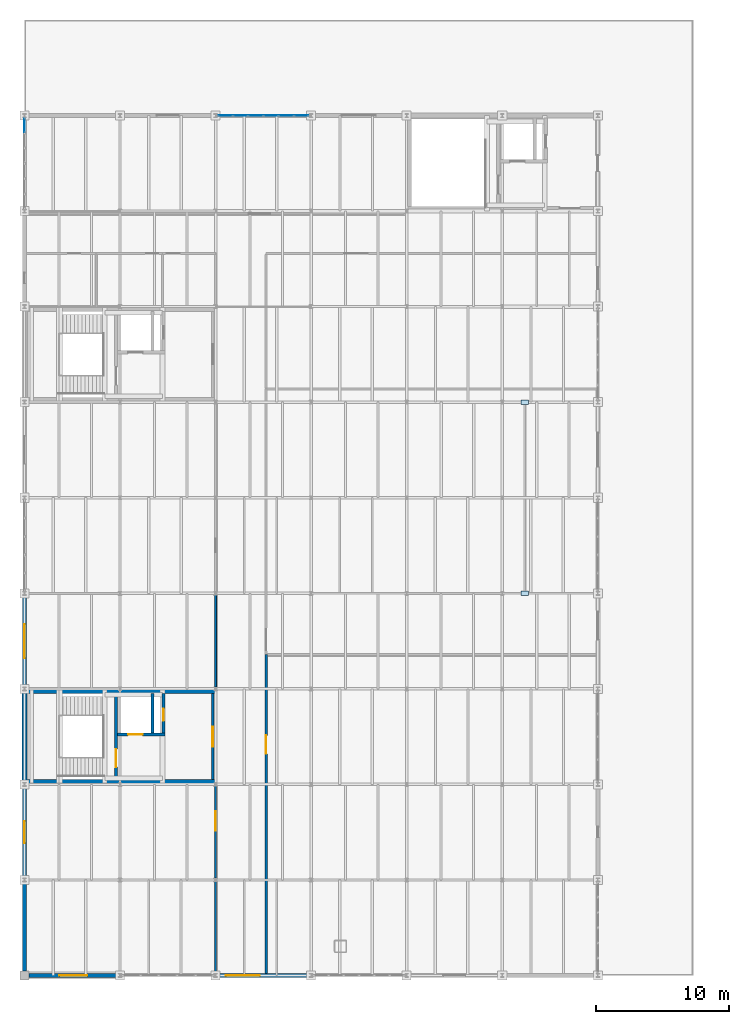
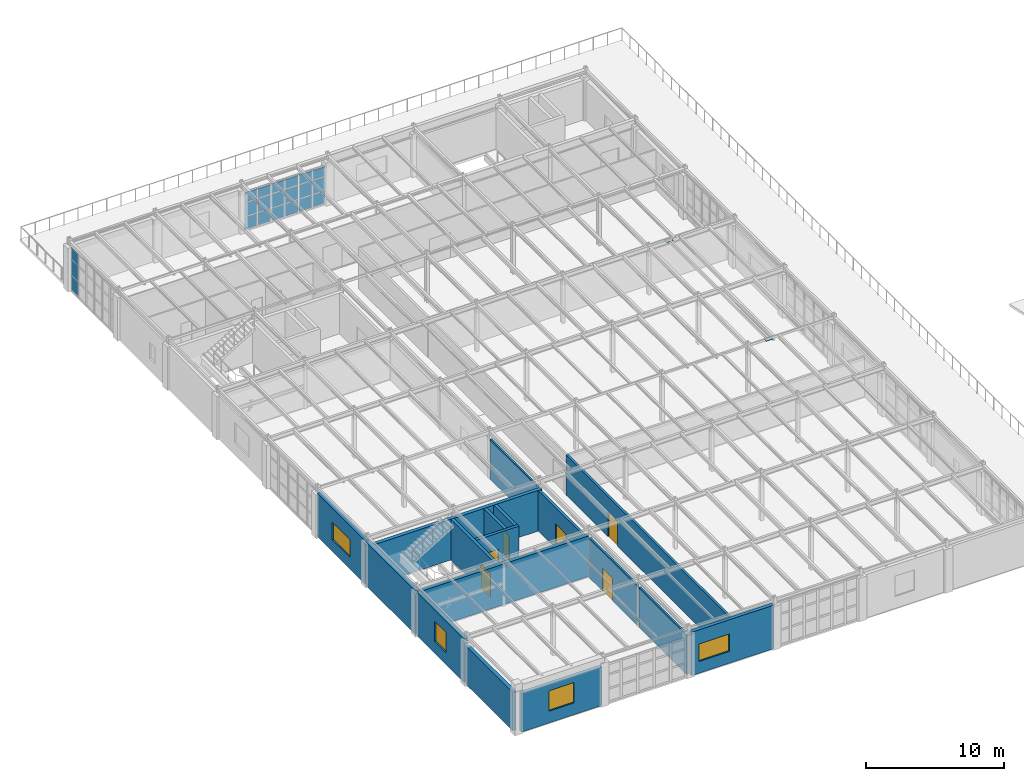
# One storey, part 32 of 36: 23 plates, 17 walls, 6 doors, 4 windows, 10 openings, 2 elements without a shape of their own.
"""IFC4 building model written with IfcOpenShell, lengths in metres."""

from ifc_helpers import new_model, si_unit, direction, frame, frame_2d, origin, origin_2d, place, context, subcontext, project, spatial, rectangle, extrude, material, layer, layer_set, type_object, element, fill, aggregate, save


model = new_model("IFC4")

# Units and contexts
model_context = context("Model", 3, precision=1e-05, world=origin(), true_north=direction((0.0, 1.0)))
body_context = subcontext(model_context, "Body", "Model", "MODEL_VIEW")
ifc_project = project(units=[si_unit("LENGTHUNIT", "METRE"), si_unit("AREAUNIT", "SQUARE_METRE"), si_unit("VOLUMEUNIT", "CUBIC_METRE"), si_unit("PLANEANGLEUNIT", "RADIAN"), si_unit("MASSUNIT", "GRAM", prefix="KILO")], contexts=[model_context])

# Site, building, storey
site_placement = place(None, origin())
site = spatial("IfcSite", under=ifc_project, at=site_placement, CompositionType="ELEMENT")
building_placement = place(site_placement, origin())
building = spatial("IfcBuilding", under=site, at=building_placement, Name="Kemerveld Promenade Tramway Depot", CompositionType="ELEMENT")
storey_placement = place(building_placement, frame((0.0, 0.0, 14.39990234375)))
storey = spatial("IfcBuildingStorey", under=building, at=storey_placement, Name="L03", CompositionType="ELEMENT", Elevation=14.39990234375)

# Curtain wall, plates
ifc_material_1 = material(Name="Bronze anodised aluminium and solar glass", Category="aluminium")
ifc_layer_1 = layer(ifc_material_1, 0.199951171875)
ifc_layer_set_1 = layer_set([ifc_layer_1], Name="CW-SYS-12")
curtain_wall_type_1 = type_object("IfcCurtainWallType", Name="CW-SYS-12", PredefinedType="USERDEFINED", material=ifc_layer_set_1)
curtain_wall_1_placement = place(storey_placement, origin())
curtain_wall_1 = element("IfcCurtainWall", 1, at=curtain_wall_1_placement, inside=storey, type_object=curtain_wall_type_1, Name="CW-L03-V5W-09", ObjectType="GLAZED_CURTAIN_WALL", PredefinedType="USERDEFINED")
ifc_material_2 = material(Name="Solar-control laminated double glazing", Category="glass")
ifc_layer_2 = layer(ifc_material_2, 0.031982421875)
ifc_layer_set_2 = layer_set([ifc_layer_2], Name="CW-PNL-04")
plate_type_1 = type_object("IfcPlateType", Name="CW-PNL-04", PredefinedType="CURTAIN_PANEL", material=ifc_layer_set_2)
plate_1_placement = place(storey_placement, frame((0.0, 64.05615234375, 0.065185546875), z_axis=(0.0, 0.0, 1.0), x_axis=(0.0, 1.0, 0.0)))
plate_1 = element("IfcPlate", 2, at=plate_1_placement, type_object=plate_type_1, Name="CW12 panel 6.1", PredefinedType="CURTAIN_PANEL", context=body_context, shape_type="SweptSolid", body=[
    extrude(rectangle(XDim=1.037353515625, YDim=0.031982421875, at=origin_2d()), origin(), (0.0, 0.0, 1.0), 1.25048828125),
])
plate_2_placement = place(storey_placement, frame((0.0, 64.05615234375, 1.380615234375), z_axis=(0.0, 0.0, 1.0), x_axis=(0.0, 1.0, 0.0)))
plate_2 = element("IfcPlate", 3, at=plate_2_placement, type_object=plate_type_1, Name="CW12 panel 6.2", PredefinedType="CURTAIN_PANEL", context=body_context, shape_type="SweptSolid", body=[
    extrude(rectangle(XDim=1.037353515625, YDim=0.031982421875, at=origin_2d()), origin(), (0.0, 0.0, 1.0), 1.35888671875),
])
plate_3_placement = place(storey_placement, frame((0.0, 64.05615234375, 2.8046875), z_axis=(0.0, 0.0, 1.0), x_axis=(0.0, 1.0, 0.0)))
plate_3 = element("IfcPlate", 4, at=plate_3_placement, type_object=plate_type_1, Name="CW12 panel 6.3", PredefinedType="CURTAIN_PANEL", context=body_context, shape_type="SweptSolid", body=[
    extrude(rectangle(XDim=1.037353515625, YDim=0.031982421875, at=origin_2d()), origin(), (0.0, 0.0, 1.0), 0.98046875),
])
aggregate(curtain_wall_1, [plate_1, plate_2, plate_3])

ifc_layer_3 = layer(ifc_material_1, 0.199951171875)
ifc_layer_set_3 = layer_set([ifc_layer_3], Name="CW-SYS-06")
curtain_wall_type_2 = type_object("IfcCurtainWallType", Name="CW-SYS-06", PredefinedType="USERDEFINED", material=ifc_layer_set_3)
curtain_wall_2_placement = place(storey_placement, origin())
curtain_wall_2 = element("IfcCurtainWall", 5, at=curtain_wall_2_placement, inside=storey, type_object=curtain_wall_type_2, Name="CW-L03-V5N-03", ObjectType="GLAZED_CURTAIN_WALL", PredefinedType="USERDEFINED")
ifc_layer_4 = layer(ifc_material_2, 0.02587890625)
ifc_layer_set_4 = layer_set([ifc_layer_4], Name="CW-PNL-06")
plate_type_2 = type_object("IfcPlateType", Name="CW-PNL-06", PredefinedType="CURTAIN_PANEL", material=ifc_layer_set_4)
plate_4_placement = place(storey_placement, frame((15.14404296875, 64.800048828125, 0.06494140625), z_axis=(0.0, 0.0, 1.0), x_axis=(1.0, 0.0, 0.0)))
plate_4 = element("IfcPlate", 6, at=plate_4_placement, type_object=plate_type_2, Name="CW06 panel 1.1", PredefinedType="CURTAIN_PANEL", context=body_context, shape_type="SweptSolid", body=[
    extrude(rectangle(XDim=1.037353515625, YDim=0.02587890625, at=origin_2d()), origin(), (0.0, 0.0, 1.0), 1.097412109375),
])
plate_5_placement = place(storey_placement, frame((15.14404296875, 64.800048828125, 1.2275390625), z_axis=(0.0, 0.0, 1.0), x_axis=(1.0, 0.0, 0.0)))
plate_5 = element("IfcPlate", 7, at=plate_5_placement, type_object=plate_type_2, Name="CW06 panel 1.2", PredefinedType="CURTAIN_PANEL", context=body_context, shape_type="SweptSolid", body=[
    extrude(rectangle(XDim=1.037353515625, YDim=0.02587890625, at=origin_2d()), origin(), (0.0, 0.0, 1.0), 1.197998046875),
])
plate_6_placement = place(storey_placement, frame((15.14404296875, 64.800048828125, 2.49072265625), z_axis=(0.0, 0.0, 1.0), x_axis=(1.0, 0.0, 0.0)))
plate_6 = element("IfcPlate", 8, at=plate_6_placement, type_object=plate_type_2, Name="CW06 panel 1.3", PredefinedType="CURTAIN_PANEL", context=body_context, shape_type="SweptSolid", body=[
    extrude(rectangle(XDim=1.037353515625, YDim=0.02587890625, at=origin_2d()), origin(), (0.0, 0.0, 1.0), 0.8583984375),
])
plate_7_placement = place(storey_placement, frame((16.275146484375, 64.800048828125, 0.06494140625), z_axis=(0.0, 0.0, 1.0), x_axis=(1.0, 0.0, 0.0)))
plate_7 = element("IfcPlate", 9, at=plate_7_placement, type_object=plate_type_2, Name="CW06 panel 2.1", PredefinedType="CURTAIN_PANEL", context=body_context, shape_type="SweptSolid", body=[
    extrude(rectangle(XDim=1.074951171875, YDim=0.02587890625, at=origin_2d()), origin(), (0.0, 0.0, 1.0), 1.097412109375),
])
plate_8_placement = place(storey_placement, frame((16.275146484375, 64.800048828125, 1.2275390625), z_axis=(0.0, 0.0, 1.0), x_axis=(1.0, 0.0, 0.0)))
plate_8 = element("IfcPlate", 10, at=plate_8_placement, type_object=plate_type_2, Name="CW06 panel 2.2", PredefinedType="CURTAIN_PANEL", context=body_context, shape_type="SweptSolid", body=[
    extrude(rectangle(XDim=1.074951171875, YDim=0.02587890625, at=origin_2d()), origin(), (0.0, 0.0, 1.0), 1.197998046875),
])
plate_9_placement = place(storey_placement, frame((16.275146484375, 64.800048828125, 2.49072265625), z_axis=(0.0, 0.0, 1.0), x_axis=(1.0, 0.0, 0.0)))
plate_9 = element("IfcPlate", 11, at=plate_9_placement, type_object=plate_type_2, Name="CW06 panel 2.3", PredefinedType="CURTAIN_PANEL", context=body_context, shape_type="SweptSolid", body=[
    extrude(rectangle(XDim=1.074951171875, YDim=0.02587890625, at=origin_2d()), origin(), (0.0, 0.0, 1.0), 0.8583984375),
])
plate_10_placement = place(storey_placement, frame((17.425048828125, 64.800048828125, 0.06494140625), z_axis=(0.0, 0.0, 1.0), x_axis=(1.0, 0.0, 0.0)))
plate_10 = element("IfcPlate", 12, at=plate_10_placement, type_object=plate_type_2, Name="CW06 panel 3.1", PredefinedType="CURTAIN_PANEL", context=body_context, shape_type="SweptSolid", body=[
    extrude(rectangle(XDim=1.074951171875, YDim=0.02587890625, at=origin_2d()), origin(), (0.0, 0.0, 1.0), 1.097412109375),
])
plate_11_placement = place(storey_placement, frame((17.425048828125, 64.800048828125, 1.2275390625), z_axis=(0.0, 0.0, 1.0), x_axis=(1.0, 0.0, 0.0)))
plate_11 = element("IfcPlate", 13, at=plate_11_placement, type_object=plate_type_2, Name="CW06 panel 3.2", PredefinedType="CURTAIN_PANEL", context=body_context, shape_type="SweptSolid", body=[
    extrude(rectangle(XDim=1.074951171875, YDim=0.02587890625, at=origin_2d()), origin(), (0.0, 0.0, 1.0), 1.197998046875),
])
plate_12_placement = place(storey_placement, frame((17.425048828125, 64.800048828125, 2.49072265625), z_axis=(0.0, 0.0, 1.0), x_axis=(1.0, 0.0, 0.0)))
plate_12 = element("IfcPlate", 14, at=plate_12_placement, type_object=plate_type_2, Name="CW06 panel 3.3", PredefinedType="CURTAIN_PANEL", context=body_context, shape_type="SweptSolid", body=[
    extrude(rectangle(XDim=1.074951171875, YDim=0.02587890625, at=origin_2d()), origin(), (0.0, 0.0, 1.0), 0.8583984375),
])
plate_13_placement = place(storey_placement, frame((18.574951171875, 64.800048828125, 0.06494140625), z_axis=(0.0, 0.0, 1.0), x_axis=(1.0, 0.0, 0.0)))
plate_13 = element("IfcPlate", 15, at=plate_13_placement, type_object=plate_type_2, Name="CW06 panel 4.1", PredefinedType="CURTAIN_PANEL", context=body_context, shape_type="SweptSolid", body=[
    extrude(rectangle(XDim=1.074951171875, YDim=0.02587890625, at=origin_2d()), origin(), (0.0, 0.0, 1.0), 1.097412109375),
])
plate_14_placement = place(storey_placement, frame((18.574951171875, 64.800048828125, 1.2275390625), z_axis=(0.0, 0.0, 1.0), x_axis=(1.0, 0.0, 0.0)))
plate_14 = element("IfcPlate", 16, at=plate_14_placement, type_object=plate_type_2, Name="CW06 panel 4.2", PredefinedType="CURTAIN_PANEL", context=body_context, shape_type="SweptSolid", body=[
    extrude(rectangle(XDim=1.074951171875, YDim=0.02587890625, at=origin_2d()), origin(), (0.0, 0.0, 1.0), 1.197998046875),
])
plate_15_placement = place(storey_placement, frame((18.574951171875, 64.800048828125, 2.49072265625), z_axis=(0.0, 0.0, 1.0), x_axis=(1.0, 0.0, 0.0)))
plate_15 = element("IfcPlate", 17, at=plate_15_placement, type_object=plate_type_2, Name="CW06 panel 4.3", PredefinedType="CURTAIN_PANEL", context=body_context, shape_type="SweptSolid", body=[
    extrude(rectangle(XDim=1.074951171875, YDim=0.02587890625, at=origin_2d()), origin(), (0.0, 0.0, 1.0), 0.8583984375),
])
plate_16_placement = place(storey_placement, frame((19.724853515625, 64.800048828125, 0.06494140625), z_axis=(0.0, 0.0, 1.0), x_axis=(1.0, 0.0, 0.0)))
plate_16 = element("IfcPlate", 18, at=plate_16_placement, type_object=plate_type_2, Name="CW06 panel 5.1", PredefinedType="CURTAIN_PANEL", context=body_context, shape_type="SweptSolid", body=[
    extrude(rectangle(XDim=1.074951171875, YDim=0.02587890625, at=origin_2d()), origin(), (0.0, 0.0, 1.0), 1.097412109375),
])
plate_17_placement = place(storey_placement, frame((19.724853515625, 64.800048828125, 1.2275390625), z_axis=(0.0, 0.0, 1.0), x_axis=(1.0, 0.0, 0.0)))
plate_17 = element("IfcPlate", 19, at=plate_17_placement, type_object=plate_type_2, Name="CW06 panel 5.2", PredefinedType="CURTAIN_PANEL", context=body_context, shape_type="SweptSolid", body=[
    extrude(rectangle(XDim=1.074951171875, YDim=0.02587890625, at=origin_2d()), origin(), (0.0, 0.0, 1.0), 1.197998046875),
])
plate_18_placement = place(storey_placement, frame((19.724853515625, 64.800048828125, 2.49072265625), z_axis=(0.0, 0.0, 1.0), x_axis=(1.0, 0.0, 0.0)))
plate_18 = element("IfcPlate", 20, at=plate_18_placement, type_object=plate_type_2, Name="CW06 panel 5.3", PredefinedType="CURTAIN_PANEL", context=body_context, shape_type="SweptSolid", body=[
    extrude(rectangle(XDim=1.074951171875, YDim=0.02587890625, at=origin_2d()), origin(), (0.0, 0.0, 1.0), 0.8583984375),
])
plate_19_placement = place(storey_placement, frame((20.856201171875, 64.800048828125, 0.06494140625), z_axis=(0.0, 0.0, 1.0), x_axis=(1.0, 0.0, 0.0)))
plate_19 = element("IfcPlate", 21, at=plate_19_placement, type_object=plate_type_2, Name="CW06 panel 6.1", PredefinedType="CURTAIN_PANEL", context=body_context, shape_type="SweptSolid", body=[
    extrude(rectangle(XDim=1.037353515625, YDim=0.02587890625, at=origin_2d()), origin(), (0.0, 0.0, 1.0), 1.097412109375),
])
plate_20_placement = place(storey_placement, frame((20.856201171875, 64.800048828125, 1.2275390625), z_axis=(0.0, 0.0, 1.0), x_axis=(1.0, 0.0, 0.0)))
plate_20 = element("IfcPlate", 22, at=plate_20_placement, type_object=plate_type_2, Name="CW06 panel 6.2", PredefinedType="CURTAIN_PANEL", context=body_context, shape_type="SweptSolid", body=[
    extrude(rectangle(XDim=1.037353515625, YDim=0.02587890625, at=origin_2d()), origin(), (0.0, 0.0, 1.0), 1.197998046875),
])
plate_21_placement = place(storey_placement, frame((20.856201171875, 64.800048828125, 2.49072265625), z_axis=(0.0, 0.0, 1.0), x_axis=(1.0, 0.0, 0.0)))
plate_21 = element("IfcPlate", 23, at=plate_21_placement, type_object=plate_type_2, Name="CW06 panel 6.3", PredefinedType="CURTAIN_PANEL", context=body_context, shape_type="SweptSolid", body=[
    extrude(rectangle(XDim=1.037353515625, YDim=0.02587890625, at=origin_2d()), origin(), (0.0, 0.0, 1.0), 0.8583984375),
])
aggregate(curtain_wall_2, [plate_4, plate_5, plate_6, plate_7, plate_8, plate_9, plate_10, plate_11, plate_12, plate_13, plate_14, plate_15, plate_16, plate_17, plate_18, plate_19, plate_20, plate_21])

# Plates
ifc_material_3 = material(Name="Steel S355", Category="steel")
ifc_layer_5 = layer(ifc_material_3, 0.02197265625)
ifc_layer_set_5 = layer_set([ifc_layer_5], Name="PL-GS10")
plate_type_3 = type_object("IfcPlateType", Name="PL-GS10", PredefinedType="USERDEFINED", material=ifc_layer_set_5)
for number, where, z_axis, x_axis, name in (
    (24, (37.699951171875, 28.800048828125, 4.14404296875), (0.0, 0.0, 1.0), (1.0, 0.0, 0.0), "CAP-CUMBA-S"),
    (25, (37.699951171875, 43.199951171875, 4.14404296875), (0.0, 0.0, 1.0), (1.0, 0.0, 0.0), "CAP-CUMBA-N"),
):
    element("IfcPlate", number, at=place(storey_placement, frame(where, z_axis=z_axis, x_axis=x_axis)), inside=storey, type_object=plate_type_3, Name=name, ObjectType="GUSSET_PLATE", PredefinedType="USERDEFINED", context=body_context, shape_type="SweptSolid", body=[
        extrude(rectangle(XDim=0.550048828125, YDim=0.360107421875, at=origin_2d()), origin(), (0.0, 0.0, 1.0), 0.02197265625),
    ])

# Wall, opening, door
ifc_material_4 = material(Name="Concrete C40/50", Category="concrete")
ifc_layer_6 = layer(ifc_material_4, 0.25)
ifc_layer_set_6 = layer_set([ifc_layer_6], Name="WL-CORE-250")
wall_type_1 = type_object("IfcWallType", Name="WL-CORE-250", PredefinedType="SHEAR", material=ifc_layer_set_6)
wall_1_placement = place(storey_placement, frame((6.89990234375, 14.75, 0.0), z_axis=(0.0, 0.0, 1.0), x_axis=(0.0, 1.0, 0.0)))
wall_1 = element("IfcWall", 26, at=wall_1_placement, inside=storey, type_object=wall_type_1, Name="WL-C1-L03-SDIV", PredefinedType="SHEAR", context=body_context, shape_type="SweptSolid", body=[
    extrude(rectangle(XDim=6.5, YDim=0.25, at=frame_2d((3.25, 0.0))), origin(), (0.0, 0.0, 1.0), 3.60009765625),
])
opening_1_placement = place(wall_1_placement, frame((0.949951171875, 0.0, 0.0)))
opening_1 = element("IfcOpeningElement", 27, at=opening_1_placement, cuts=wall_1, Name="Opening D-513", PredefinedType="OPENING", context=body_context, shape_type="SweptSolid", body=[
    extrude(rectangle(XDim=1.35009765625, YDim=2.14990234375, at=frame_2d((0.675048828125, 1.074951171875))), frame((0.0, 0.135009765625, 0.0), z_axis=(0.0, -1.0, 0.0), x_axis=(1.0, 0.0, 0.0)), (0.0, 0.0, 1.0), 0.27001953125),
])
ifc_material_5 = material(Name="Galvanised steel fire stair door", Category="steel")
door_type_1 = type_object("IfcDoorType", Name="DR-FD120", OperationType="NOTDEFINED", PredefinedType="DOOR", material=ifc_material_5)
door_1_placement = place(opening_1_placement, origin())
door_1 = element("IfcDoor", 28, at=door_1_placement, inside=storey, type_object=door_type_1, Name="DR-C1-L03-STAIR", OperationType="SINGLE_SWING_LEFT", OverallHeight=2.14990234375, OverallWidth=1.35009765625, PredefinedType="DOOR", context=body_context, shape_type="SweptSolid", body=[
    extrude(rectangle(XDim=1.35009765625, YDim=2.14990234375, at=frame_2d((0.675048828125, 1.074951171875))), frame((0.0, 0.02490234375, 0.0), z_axis=(0.0, -1.0, 0.0), x_axis=(1.0, 0.0, 0.0)), (0.0, 0.0, 1.0), 0.050048828125),
])
fill(opening_1, door_1)

wall_2_placement = place(storey_placement, frame((7.02490234375, 18.159912109375, 0.0), z_axis=(0.0, 0.0, 1.0), x_axis=(1.0, 0.0, 0.0)))
wall_2 = element("IfcWall", 29, at=wall_2_placement, inside=storey, type_object=wall_type_1, Name="WL-C1-L03-LSHS", PredefinedType="SHEAR", context=body_context, shape_type="SweptSolid", body=[
    extrude(rectangle(XDim=3.580078125, YDim=0.25, at=frame_2d((1.7900390625, 0.0))), origin(), (0.0, 0.0, 1.0), 3.60009765625),
])
opening_2_placement = place(wall_2_placement, frame((0.77490234375, 0.0, 0.0)))
opening_2 = element("IfcOpeningElement", 30, at=opening_2_placement, cuts=wall_2, Name="Opening LD-514", PredefinedType="OPENING", context=body_context, shape_type="SweptSolid", body=[
    extrude(rectangle(XDim=1.10009765625, YDim=2.14990234375, at=frame_2d((0.550048828125, 1.074951171875))), frame((0.0, 0.135009765625, 0.0), z_axis=(0.0, -1.0, 0.0), x_axis=(1.0, 0.0, 0.0)), (0.0, 0.0, 1.0), 0.27001953125),
])
ifc_material_6 = material(Name="Brushed stainless steel sliding lift landing door", Category="steel")
door_type_2 = type_object("IfcDoorType", Name="DR-LD01", OperationType="SLIDING_TO_LEFT", PredefinedType="DOOR", material=ifc_material_6)
door_2_placement = place(opening_2_placement, origin())
door_2 = element("IfcDoor", 31, at=door_2_placement, inside=storey, type_object=door_type_2, Name="DR-C1-L03-LIFT", OperationType="SLIDING_TO_LEFT", OverallHeight=2.14990234375, OverallWidth=1.10009765625, PredefinedType="DOOR", context=body_context, shape_type="SweptSolid", body=[
    extrude(rectangle(XDim=1.10009765625, YDim=2.14990234375, at=frame_2d((0.550048828125, 1.074951171875))), frame((0.0, 0.02490234375, 0.0), z_axis=(0.0, -1.0, 0.0), x_axis=(1.0, 0.0, 0.0)), (0.0, 0.0, 1.0), 0.050048828125),
])
fill(opening_2, door_2)

# Wall
wall_3_placement = place(storey_placement, frame((9.64990234375, 18.284912109375, 0.0), z_axis=(0.0, 0.0, 1.0), x_axis=(0.0, 1.0, 0.0)))
element("IfcWall", 32, at=wall_3_placement, inside=storey, type_object=wall_type_1, Name="WL-C1-L03-LSHM", PredefinedType="SHEAR", context=body_context, shape_type="SweptSolid", body=[
    extrude(rectangle(XDim=2.965087890625, YDim=0.25, at=frame_2d((1.482421875, 0.0))), origin(), (0.0, 0.0, 1.0), 3.60009765625),
])

# Wall, opening, door
wall_4_placement = place(storey_placement, frame((10.47998046875, 18.284912109375, 0.0), z_axis=(0.0, 0.0, 1.0), x_axis=(0.0, 1.0, 0.0)))
wall_4 = element("IfcWall", 33, at=wall_4_placement, inside=storey, type_object=wall_type_1, Name="WL-C1-L03-LSHE", PredefinedType="SHEAR", context=body_context, shape_type="SweptSolid", body=[
    extrude(rectangle(XDim=2.965087890625, YDim=0.25, at=frame_2d((1.482421875, 0.0))), origin(), (0.0, 0.0, 1.0), 3.60009765625),
])
opening_3_placement = place(wall_4_placement, frame((0.89990234375, 0.0, 0.0)))
opening_3 = element("IfcOpeningElement", 34, at=opening_3_placement, cuts=wall_4, Name="Opening D-515", PredefinedType="OPENING", context=body_context, shape_type="SweptSolid", body=[
    extrude(rectangle(XDim=0.919921875, YDim=2.050048828125, at=frame_2d((0.4599609375, 1.02490234375))), frame((0.0, 0.135009765625, 0.0), z_axis=(0.0, -1.0, 0.0), x_axis=(1.0, 0.0, 0.0)), (0.0, 0.0, 1.0), 0.27001953125),
])
ifc_material_7 = material(Name="Steel riser shaft access fire door", Category="steel")
door_type_3 = type_object("IfcDoorType", Name="DR-RSR01", OperationType="NOTDEFINED", PredefinedType="DOOR", material=ifc_material_7)
door_3_placement = place(opening_3_placement, origin())
door_3 = element("IfcDoor", 35, at=door_3_placement, inside=storey, type_object=door_type_3, Name="DR-C1-L03-RISER", OperationType="SINGLE_SWING_RIGHT", OverallHeight=2.050048828125, OverallWidth=0.919921875, PredefinedType="DOOR", context=body_context, shape_type="SweptSolid", body=[
    extrude(rectangle(XDim=0.919921875, YDim=2.050048828125, at=frame_2d((0.4599609375, 1.02490234375))), frame((0.0, 0.02490234375, 0.0), z_axis=(0.0, -1.0, 0.0), x_axis=(1.0, 0.0, 0.0)), (0.0, 0.0, 1.0), 0.050048828125),
])
fill(opening_3, door_3)

# Walls
ifc_layer_7 = layer(ifc_material_4, 0.300048828125)
ifc_layer_set_7 = layer_set([ifc_layer_7], Name="WL-CORE-300")
wall_type_2 = type_object("IfcWallType", Name="WL-CORE-300", PredefinedType="SHEAR", material=ifc_layer_set_7)
for number, where, z_axis, x_axis, name in (
    (36, (0.169921875, 14.60009765625, 0.0), (0.0, 0.0, 1.0), (1.0, 0.0, 0.0), "WL-C1-L03-S"),
    (37, (0.169921875, 21.39990234375, 0.0), (0.0, 0.0, 1.0), (1.0, 0.0, 0.0), "WL-C1-L03-N"),
):
    element("IfcWall", number, at=place(storey_placement, frame(where, z_axis=z_axis, x_axis=x_axis)), inside=storey, type_object=wall_type_2, Name=name, PredefinedType="SHEAR", context=body_context, shape_type="SweptSolid", body=[
        extrude(rectangle(XDim=14.22998046875, YDim=0.300048828125, at=frame_2d((7.114990234375, 0.0))), origin(), (0.0, 0.0, 1.0), 3.60009765625),
    ])
ifc_material_8 = material(Name="Dressed sandstone and brick infill wall", Category="masonry")
ifc_layer_8 = layer(ifc_material_8, 0.300048828125)
ifc_layer_set_8 = layer_set([ifc_layer_8], Name="WL-EXT-300")
wall_type_3 = type_object("IfcWallType", Name="WL-EXT-300", PredefinedType="SOLIDWALL", material=ifc_layer_set_8)
wall_5_placement = place(storey_placement, frame((0.0, 0.320068359375, 0.0), z_axis=(0.0, 0.0, 1.0), x_axis=(0.0, 1.0, 0.0)))
element("IfcWall", 38, at=wall_5_placement, inside=storey, type_object=wall_type_3, Name="WL-L03-V5W-01", PredefinedType="SOLIDWALL", context=body_context, shape_type="SweptSolid", body=[
    extrude(rectangle(XDim=6.729736328125, YDim=0.300048828125, at=frame_2d((3.36474609375, 0.0))), origin(), (0.0, 0.0, 1.0), 3.4150390625),
])

# Wall, opening, window
wall_6_placement = place(storey_placement, frame((0.0, 7.35009765625, 0.0), z_axis=(0.0, 0.0, 1.0), x_axis=(0.0, 1.0, 0.0)))
wall_6 = element("IfcWall", 39, at=wall_6_placement, inside=storey, type_object=wall_type_3, Name="WL-L03-V5W-02", PredefinedType="SOLIDWALL", context=body_context, shape_type="SweptSolid", body=[
    extrude(rectangle(XDim=6.89990234375, YDim=0.300048828125, at=frame_2d((3.449951171875, 0.0))), origin(), (0.0, 0.0, 1.0), 3.85009765625),
])
opening_4_placement = place(wall_6_placement, frame((2.6201171875, 0.0, 1.050048828125)))
opening_4 = element("IfcOpeningElement", 40, at=opening_4_placement, cuts=wall_6, Name="Opening W-209", PredefinedType="OPENING", context=body_context, shape_type="SweptSolid", body=[
    extrude(rectangle(XDim=1.659912109375, YDim=1.800048828125, at=frame_2d((0.830078125, 0.89990234375))), frame((0.0, 0.159912109375, 0.0), z_axis=(0.0, -1.0, 0.0), x_axis=(1.0, 0.0, 0.0)), (0.0, 0.0, 1.0), 0.320068359375),
])
ifc_material_9 = material(Name="Bronze anodised aluminium and low-e glass", Category="aluminium")
window_type_1 = type_object("IfcWindowType", Name="WN-29", PartitioningType="SINGLE_PANEL", PredefinedType="WINDOW", material=ifc_material_9)
window_1_placement = place(opening_4_placement, origin())
window_1 = element("IfcWindow", 41, at=window_1_placement, inside=storey, type_object=window_type_1, Name="WN-L03-V5W-02", OverallHeight=1.800048828125, OverallWidth=1.659912109375, PartitioningType="SINGLE_PANEL", PredefinedType="WINDOW", context=body_context, shape_type="SweptSolid", body=[
    extrude(rectangle(XDim=1.659912109375, YDim=1.800048828125, at=frame_2d((0.830078125, 0.89990234375))), frame((0.0, 0.030029296875, 0.0), z_axis=(0.0, -1.0, 0.0), x_axis=(1.0, 0.0, 0.0)), (0.0, 0.0, 1.0), 0.06005859375),
])
fill(opening_4, window_1)

wall_7_placement = place(storey_placement, frame((0.0, 21.750244140625, 0.0), z_axis=(0.0, 0.0, 1.0), x_axis=(0.0, 1.0, 0.0)))
wall_7 = element("IfcWall", 42, at=wall_7_placement, inside=storey, type_object=wall_type_3, Name="WL-L03-V5W-04", PredefinedType="SOLIDWALL", context=body_context, shape_type="SweptSolid", body=[
    extrude(rectangle(XDim=6.899658203125, YDim=0.300048828125, at=frame_2d((3.44970703125, 0.0))), origin(), (0.0, 0.0, 1.0), 3.85009765625),
])
opening_5_placement = place(wall_7_placement, frame((2.169921875, 0.0, 1.050048828125)))
opening_5 = element("IfcOpeningElement", 43, at=opening_5_placement, cuts=wall_7, Name="Opening W-210", PredefinedType="OPENING", context=body_context, shape_type="SweptSolid", body=[
    extrude(rectangle(XDim=2.56005859375, YDim=1.550048828125, at=frame_2d((1.280029296875, 0.77490234375))), frame((0.0, 0.159912109375, 0.0), z_axis=(0.0, -1.0, 0.0), x_axis=(1.0, 0.0, 0.0)), (0.0, 0.0, 1.0), 0.320068359375),
])
window_type_2 = type_object("IfcWindowType", Name="WN-39", PartitioningType="SINGLE_PANEL", PredefinedType="WINDOW", material=ifc_material_9)
window_2_placement = place(opening_5_placement, origin())
window_2 = element("IfcWindow", 44, at=window_2_placement, inside=storey, type_object=window_type_2, Name="WN-L03-V5W-04", OverallHeight=1.550048828125, OverallWidth=2.56005859375, PartitioningType="SINGLE_PANEL", PredefinedType="WINDOW", context=body_context, shape_type="SweptSolid", body=[
    extrude(rectangle(XDim=2.56005859375, YDim=1.550048828125, at=frame_2d((1.280029296875, 0.77490234375))), frame((0.0, 0.030029296875, 0.0), z_axis=(0.0, -1.0, 0.0), x_axis=(1.0, 0.0, 0.0)), (0.0, 0.0, 1.0), 0.06005859375),
])
fill(opening_5, window_2)

wall_8_placement = place(storey_placement, frame((21.449951171875, 0.0, 0.0), z_axis=(0.0, 0.0, 1.0), x_axis=(-1.0, 0.0, 0.0)))
wall_8 = element("IfcWall", 45, at=wall_8_placement, inside=storey, type_object=wall_type_3, Name="WL-L03-V5S-04", PredefinedType="SOLIDWALL", context=body_context, shape_type="SweptSolid", body=[
    extrude(rectangle(XDim=6.899658203125, YDim=0.300048828125, at=frame_2d((3.44970703125, 0.0))), origin(), (0.0, 0.0, 1.0), 3.85009765625),
])
opening_6_placement = place(wall_8_placement, frame((3.719970703125, 0.0, 1.050048828125)))
opening_6 = element("IfcOpeningElement", 46, at=opening_6_placement, cuts=wall_8, Name="Opening W-220", PredefinedType="OPENING", context=body_context, shape_type="SweptSolid", body=[
    extrude(rectangle(XDim=2.56005859375, YDim=1.550048828125, at=frame_2d((1.280029296875, 0.77490234375))), frame((0.0, 0.159912109375, 0.0), z_axis=(0.0, -1.0, 0.0), x_axis=(1.0, 0.0, 0.0)), (0.0, 0.0, 1.0), 0.320068359375),
])
window_3_placement = place(opening_6_placement, origin())
window_3 = element("IfcWindow", 47, at=window_3_placement, inside=storey, type_object=window_type_2, Name="WN-L03-V5S-04", OverallHeight=1.550048828125, OverallWidth=2.56005859375, PartitioningType="SINGLE_PANEL", PredefinedType="WINDOW", context=body_context, shape_type="SweptSolid", body=[
    extrude(rectangle(XDim=2.56005859375, YDim=1.550048828125, at=frame_2d((1.280029296875, 0.77490234375))), frame((0.0, 0.030029296875, 0.0), z_axis=(0.0, -1.0, 0.0), x_axis=(1.0, 0.0, 0.0)), (0.0, 0.0, 1.0), 0.06005859375),
])
fill(opening_6, window_3)

wall_9_placement = place(storey_placement, frame((7.0498046875, 0.0, 0.0), z_axis=(0.0, 0.0, 1.0), x_axis=(-1.0, 0.0, 0.0)))
wall_9 = element("IfcWall", 48, at=wall_9_placement, inside=storey, type_object=wall_type_3, Name="WL-L03-V5S-06", PredefinedType="SOLIDWALL", context=body_context, shape_type="SweptSolid", body=[
    extrude(rectangle(XDim=6.729736328125, YDim=0.300048828125, at=frame_2d((3.36474609375, 0.0))), origin(), (0.0, 0.0, 1.0), 3.4150390625),
])
opening_7_placement = place(wall_9_placement, frame((2.31494140625, 0.0, 1.050048828125)))
opening_7 = element("IfcOpeningElement", 49, at=opening_7_placement, cuts=wall_9, Name="Opening W-221", PredefinedType="OPENING", context=body_context, shape_type="SweptSolid", body=[
    extrude(rectangle(XDim=2.10009765625, YDim=1.800048828125, at=frame_2d((1.050048828125, 0.89990234375))), frame((0.0, 0.159912109375, 0.0), z_axis=(0.0, -1.0, 0.0), x_axis=(1.0, 0.0, 0.0)), (0.0, 0.0, 1.0), 0.320068359375),
])
window_type_3 = type_object("IfcWindowType", Name="WN-09", PartitioningType="SINGLE_PANEL", PredefinedType="WINDOW", material=ifc_material_9)
window_4_placement = place(opening_7_placement, origin())
window_4 = element("IfcWindow", 50, at=window_4_placement, inside=storey, type_object=window_type_3, Name="WN-L03-V5S-06", OverallHeight=1.800048828125, OverallWidth=2.10009765625, PartitioningType="SINGLE_PANEL", PredefinedType="WINDOW", context=body_context, shape_type="SweptSolid", body=[
    extrude(rectangle(XDim=2.10009765625, YDim=1.800048828125, at=frame_2d((1.050048828125, 0.89990234375))), frame((0.0, 0.030029296875, 0.0), z_axis=(0.0, -1.0, 0.0), x_axis=(1.0, 0.0, 0.0)), (0.0, 0.0, 1.0), 0.06005859375),
])
fill(opening_7, window_4)

# Wall
ifc_layer_9 = layer(ifc_material_4, 0.360107421875)
ifc_layer_set_9 = layer_set([ifc_layer_9], Name="WL-EXT-CORE")
wall_type_4 = type_object("IfcWallType", Name="WL-EXT-CORE", PredefinedType="SHEAR", material=ifc_layer_set_9)
wall_10_placement = place(storey_placement, frame((0.0, 14.39990234375, 0.0), z_axis=(0.0, 0.0, 1.0), x_axis=(0.0, 1.0, 0.0)))
element("IfcWall", 51, at=wall_10_placement, inside=storey, type_object=wall_type_4, Name="WL-L03-V5W-03", PredefinedType="SHEAR", context=body_context, shape_type="SweptSolid", body=[
    extrude(rectangle(XDim=7.2001953125, YDim=0.360107421875, at=frame_2d((3.60009765625, 0.0))), origin(), (0.0, 0.0, 1.0), 3.85009765625),
])

# Wall, opening, door
ifc_material_10 = material(Name="Concrete blockwork C35/45", Category="masonry")
ifc_layer_10 = layer(ifc_material_10, 0.199951171875)
ifc_layer_set_10 = layer_set([ifc_layer_10], Name="WL-LOB-200")
wall_type_5 = type_object("IfcWallType", Name="WL-LOB-200", PredefinedType="SOLIDWALL", material=ifc_layer_set_10)
wall_11_placement = place(storey_placement, frame((14.179931640625, 14.75, 0.0), z_axis=(0.0, 0.0, 1.0), x_axis=(0.0, 1.0, 0.0)))
wall_11 = element("IfcWall", 52, at=wall_11_placement, inside=storey, type_object=wall_type_5, Name="WL-C1-L03-LOB", PredefinedType="SOLIDWALL", context=body_context, shape_type="SweptSolid", body=[
    extrude(rectangle(XDim=6.5, YDim=0.199951171875, at=frame_2d((3.25, 0.0))), origin(), (0.0, 0.0, 1.0), 3.60009765625),
])
opening_8_placement = place(wall_11_placement, frame((2.5, 0.0, 0.0)))
opening_8 = element("IfcOpeningElement", 53, at=opening_8_placement, cuts=wall_11, Name="Opening D-516", PredefinedType="OPENING", context=body_context, shape_type="SweptSolid", body=[
    extrude(rectangle(XDim=1.5, YDim=2.14990234375, at=frame_2d((0.75, 1.074951171875))), frame((0.0, 0.10986328125, 0.0), z_axis=(0.0, -1.0, 0.0), x_axis=(1.0, 0.0, 0.0)), (0.0, 0.0, 1.0), 0.219970703125),
])
ifc_material_11 = material(Name="Timber-faced acoustic fire lobby door", Category="wood")
door_type_4 = type_object("IfcDoorType", Name="DR-FD60A", OperationType="NOTDEFINED", PredefinedType="DOOR", material=ifc_material_11)
door_4_placement = place(opening_8_placement, origin())
door_4 = element("IfcDoor", 54, at=door_4_placement, inside=storey, type_object=door_type_4, Name="DR-C1-L03-LOBBY", OperationType="SINGLE_SWING_LEFT", OverallHeight=2.14990234375, OverallWidth=1.5, PredefinedType="DOOR", context=body_context, shape_type="SweptSolid", body=[
    extrude(rectangle(XDim=1.5, YDim=2.14990234375, at=frame_2d((0.75, 1.074951171875))), frame((0.0, 0.02490234375, 0.0), z_axis=(0.0, -1.0, 0.0), x_axis=(1.0, 0.0, 0.0)), (0.0, 0.0, 1.0), 0.050048828125),
])
fill(opening_8, door_4)

# Walls
ifc_material_12 = material(Name="Fire-rated gypsum stud partition")
ifc_layer_11 = layer(ifc_material_12, 0.14501953125)
ifc_layer_set_11 = layer_set([ifc_layer_11], Name="WL-PRT-145")
wall_type_6 = type_object("IfcWallType", Name="WL-PRT-145", PredefinedType="PARTITIONING", material=ifc_layer_set_11)
wall_12_placement = place(storey_placement, frame((14.39990234375, 21.73193359375, 0.0), z_axis=(0.0, 0.0, 1.0), x_axis=(0.0, 1.0, 0.0)))
element("IfcWall", 55, at=wall_12_placement, inside=storey, type_object=wall_type_6, Name="WL-PRT-RM-L03-V5-SEM1-S1", PredefinedType="PARTITIONING", context=body_context, shape_type="SweptSolid", body=[
    extrude(rectangle(XDim=6.93603515625, YDim=0.14501953125, at=frame_2d((3.468017578125, 0.0))), origin(), (0.0, 0.0, 1.0), 3.550048828125),
])
ifc_material_13 = material(Name="Acoustic twin-stud gypsum partition")
ifc_layer_12 = layer(ifc_material_13, 0.159912109375)
ifc_layer_set_12 = layer_set([ifc_layer_12], Name="WL-PRT-160")
wall_type_7 = type_object("IfcWallType", Name="WL-PRT-160", PredefinedType="PARTITIONING", material=ifc_layer_set_12)
wall_13_placement = place(storey_placement, frame((14.39990234375, 0.14990234375, 0.0), z_axis=(0.0, 0.0, 1.0), x_axis=(0.0, 1.0, 0.0)))
element("IfcWall", 56, at=wall_13_placement, inside=storey, type_object=wall_type_7, Name="WL-PRT-RM-L03-V5-TRK-S1", PredefinedType="PARTITIONING", context=body_context, shape_type="SweptSolid", body=[
    extrude(rectangle(XDim=6.918212890625, YDim=0.159912109375, at=frame_2d((3.458984375, 0.0))), origin(), (0.0, 0.0, 1.0), 3.550048828125),
])

# Wall, opening, door
wall_14_placement = place(storey_placement, frame((14.39990234375, 7.33203125, 0.0), z_axis=(0.0, 0.0, 1.0), x_axis=(0.0, 1.0, 0.0)))
wall_14 = element("IfcWall", 57, at=wall_14_placement, inside=storey, type_object=wall_type_7, Name="WL-PRT-RM-L03-V5-TRK", PredefinedType="PARTITIONING", context=body_context, shape_type="SweptSolid", body=[
    extrude(rectangle(XDim=6.93603515625, YDim=0.159912109375, at=frame_2d((3.468017578125, 0.0))), origin(), (0.0, 0.0, 1.0), 3.550048828125),
])
opening_9_placement = place(wall_14_placement, frame((3.587890625, 0.0, 0.0)))
opening_9 = element("IfcOpeningElement", 58, at=opening_9_placement, cuts=wall_14, Name="Opening D-672", PredefinedType="OPENING", context=body_context, shape_type="SweptSolid", body=[
    extrude(rectangle(XDim=1.4599609375, YDim=2.0400390625, at=frame_2d((0.72998046875, 1.02001953125))), frame((0.0, 0.08984375, 0.0), z_axis=(0.0, -1.0, 0.0), x_axis=(1.0, 0.0, 0.0)), (0.0, 0.0, 1.0), 0.179931640625),
])
ifc_material_14 = material(Name="Hardwood interior room door", Category="wood")
door_type_5 = type_object("IfcDoorType", Name="DR-INT30", OperationType="NOTDEFINED", PredefinedType="DOOR", material=ifc_material_14)
door_5_placement = place(opening_9_placement, origin())
door_5 = element("IfcDoor", 59, at=door_5_placement, inside=storey, type_object=door_type_5, Name="DR-RM-RM-L03-V5-TRK", OperationType="SINGLE_SWING_LEFT", OverallHeight=2.0400390625, OverallWidth=1.4599609375, PredefinedType="DOOR", context=body_context, shape_type="SweptSolid", body=[
    extrude(rectangle(XDim=1.4599609375, YDim=2.0400390625, at=frame_2d((0.72998046875, 1.02001953125))), frame((0.0, 0.02490234375, 0.0), z_axis=(0.0, -1.0, 0.0), x_axis=(1.0, 0.0, 0.0)), (0.0, 0.0, 1.0), 0.050048828125),
])
fill(opening_9, door_5)

ifc_material_15 = material(Name="Plant and substation fire partition")
ifc_layer_13 = layer(ifc_material_15, 0.18994140625)
ifc_layer_set_13 = layer_set([ifc_layer_13], Name="WL-PRT-190")
wall_type_8 = type_object("IfcWallType", Name="WL-PRT-190", PredefinedType="PARTITIONING", material=ifc_layer_set_13)
wall_15_placement = place(storey_placement, frame((18.199951171875, 0.14990234375, 0.0), z_axis=(0.0, 0.0, 1.0), x_axis=(0.0, 1.0, 0.0)))
wall_15 = element("IfcWall", 60, at=wall_15_placement, inside=storey, type_object=wall_type_8, Name="WL-PRT-RM-L03-V5-RSE", PredefinedType="PARTITIONING", context=body_context, shape_type="SweptSolid", body=[
    extrude(rectangle(XDim=24.050048828125, YDim=0.18994140625, at=frame_2d((12.02490234375, 0.0))), origin(), (0.0, 0.0, 1.0), 3.550048828125),
])
opening_10_placement = place(wall_15_placement, frame((16.550048828125, 0.0, 0.0)))
opening_10 = element("IfcOpeningElement", 61, at=opening_10_placement, cuts=wall_15, Name="Opening D-671", PredefinedType="OPENING", context=body_context, shape_type="SweptSolid", body=[
    extrude(rectangle(XDim=1.39990234375, YDim=2.219970703125, at=frame_2d((0.699951171875, 1.10986328125))), frame((0.0, 0.10498046875, 0.0), z_axis=(0.0, -1.0, 0.0), x_axis=(1.0, 0.0, 0.0)), (0.0, 0.0, 1.0), 0.2099609375),
])
door_type_6 = type_object("IfcDoorType", Name="DR-INT29", OperationType="NOTDEFINED", PredefinedType="DOOR", material=ifc_material_14)
door_6_placement = place(opening_10_placement, origin())
door_6 = element("IfcDoor", 62, at=door_6_placement, inside=storey, type_object=door_type_6, Name="DR-RM-RM-L03-V5-RSE", OperationType="SINGLE_SWING_RIGHT", OverallHeight=2.219970703125, OverallWidth=1.39990234375, PredefinedType="DOOR", context=body_context, shape_type="SweptSolid", body=[
    extrude(rectangle(XDim=1.39990234375, YDim=2.219970703125, at=frame_2d((0.699951171875, 1.10986328125))), frame((0.0, 0.02490234375, 0.0), z_axis=(0.0, -1.0, 0.0), x_axis=(1.0, 0.0, 0.0)), (0.0, 0.0, 1.0), 0.050048828125),
])
fill(opening_10, door_6)

save(model, "model.ifc")
